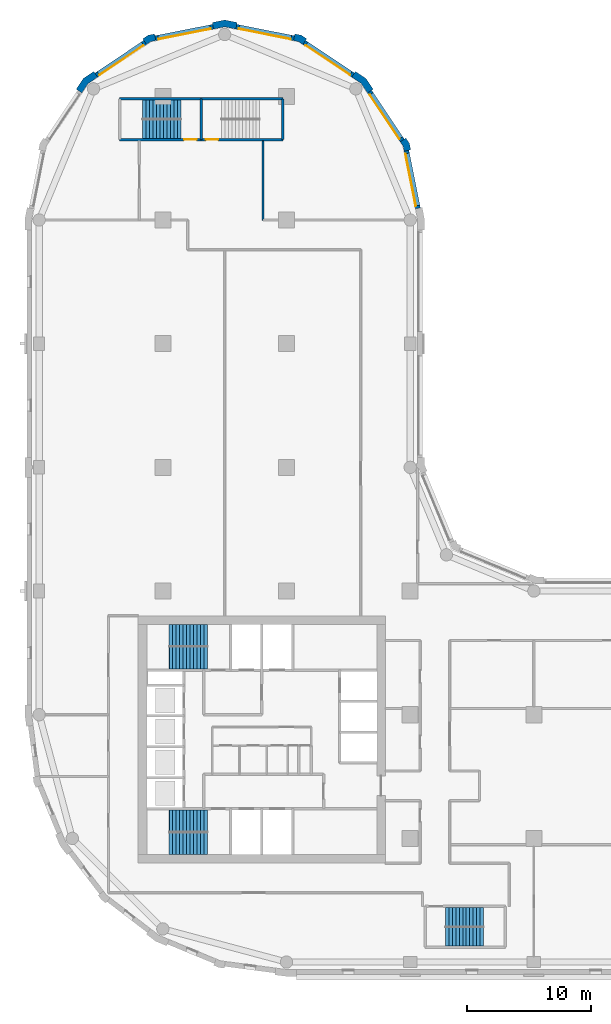
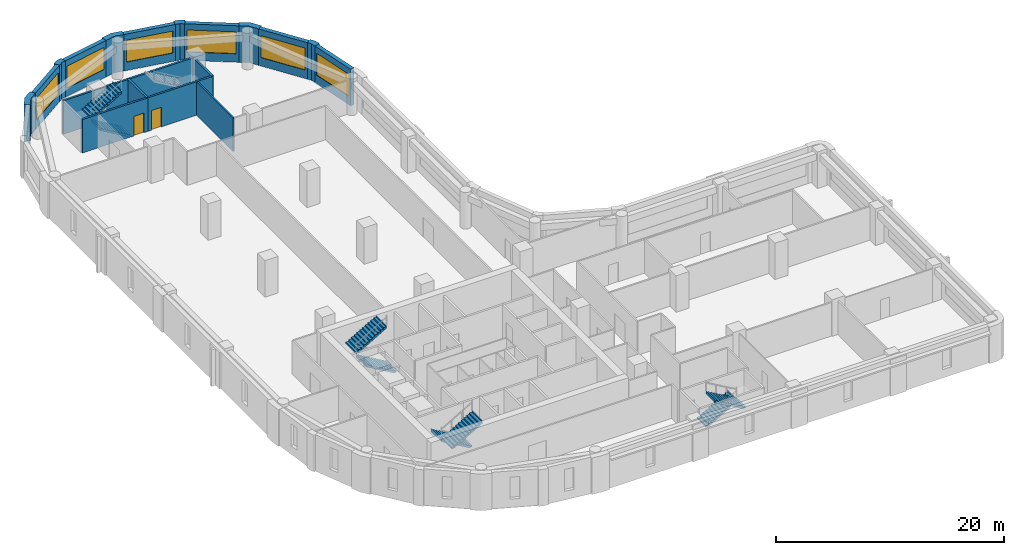
# One storey, part 6 of 9: 19 walls, 8 stair flights, 6 windows, 2 doors, 8 openings, 4 elements without a shape of their own.
"""IFC4 building model written with IfcOpenShell, lengths in metres."""

import ifcopenshell
import ifcopenshell.guid

model = None  # the IFC model being written
_history = None  # IfcOwnerHistory: only IFC2X3 demands one
_inside = {}  # id of a spatial element -> (the spatial element, [elements in it])
_under = {}  # id of a project, library or spatial element -> (it, [spatial elements below it])
_declared = {}  # id of a project -> (the project, [libraries it declares])
_typed = {}  # id of a type object -> (the type object, [elements of that type])
_made_of = {}  # id of a material, layer set ... -> (it, [elements and type objects made of it])


def new_model(schema):
    """Start an empty IFC model of exactly this schema.

    Asked for "IFC4X3", IfcOpenShell would pick the latest addendum, in which some entities
    have other attributes; the version numbers below select the first issue.
    IFC2X3 requires an IfcOwnerHistory on every rooted entity: one is made here for all.
    """
    global model, _history
    if schema == "IFC4X3":
        model = ifcopenshell.file(schema_version=(4, 3, 0, 0))
    else:
        model = ifcopenshell.file(schema=schema)
    _inside.clear()
    _under.clear()
    _declared.clear()
    _typed.clear()
    _made_of.clear()
    _history = None
    if model.schema == "IFC2X3":
        org = make("IfcOrganization", Name="unknown")
        user = make(
            "IfcPersonAndOrganization",
            ThePerson=make("IfcPerson", FamilyName="unknown"),
            TheOrganization=org,
        )
        app = make(
            "IfcApplication",
            ApplicationDeveloper=org,
            Version="unknown",
            ApplicationFullName="unknown",
            ApplicationIdentifier="unknown",
        )
        _history = make(
            "IfcOwnerHistory",
            OwningUser=user,
            OwningApplication=app,
            ChangeAction="ADDED",
            CreationDate=0,
        )
    return model


def make(cls, **values):
    """One entity of the class cls with the attributes given. An attribute that is None is left unset."""
    return model.create_entity(
        cls, **{name: value for name, value in values.items() if value is not None}
    )


def rooted(cls, **values):
    """An entity with a GlobalId (a new one), such as an element, a storey or a relation."""
    return make(cls, GlobalId=ifcopenshell.guid.new(), OwnerHistory=_history, **values)


def si_unit(unit_type, name, prefix=None):
    """IfcSIUnit, for example si_unit("LENGTHUNIT", "METRE", prefix="MILLI")."""
    return make("IfcSIUnit", UnitType=unit_type, Prefix=prefix, Name=name)


def assignment(units):
    """IfcUnitAssignment: the units of a project."""
    return None if units is None else make("IfcUnitAssignment", Units=units)


def point(xyz):
    """IfcCartesianPoint."""
    return None if xyz is None else make("IfcCartesianPoint", Coordinates=xyz)


def direction(xyz):
    """IfcDirection."""
    return None if xyz is None else make("IfcDirection", DirectionRatios=xyz)


def frame(location, z_axis=None, x_axis=None):
    """IfcAxis2Placement3D, a coordinate frame: its origin and axes. An axis left out is left unset."""
    return make(
        "IfcAxis2Placement3D",
        Location=point(location),
        Axis=direction(z_axis),
        RefDirection=direction(x_axis),
    )


def frame_2d(location, x_axis=None):
    """IfcAxis2Placement2D, a coordinate frame in the plane: its origin and x axis."""
    return make(
        "IfcAxis2Placement2D", Location=point(location), RefDirection=direction(x_axis)
    )


def origin():
    """The frame at (0, 0, 0) with its axes left unset."""
    return frame((0.0, 0.0, 0.0))


def place(relative_to, where):
    """IfcLocalPlacement: puts the frame where relative to a parent placement (None: the world)."""
    return make(
        "IfcLocalPlacement", PlacementRelTo=relative_to, RelativePlacement=where
    )


def context(
    kind, dimensions, precision=None, world=None, true_north=None, identifier=None
):
    """IfcGeometricRepresentationContext, for example the 3D "Model" context."""
    return make(
        "IfcGeometricRepresentationContext",
        ContextIdentifier=identifier,
        ContextType=kind,
        CoordinateSpaceDimension=dimensions,
        Precision=precision,
        WorldCoordinateSystem=world,
        TrueNorth=true_north,
    )


def subcontext(parent, identifier, kind, view, scale=None):
    """IfcGeometricRepresentationSubContext, for example "Body" below "Model"."""
    return make(
        "IfcGeometricRepresentationSubContext",
        ContextIdentifier=identifier,
        ContextType=kind,
        ParentContext=parent,
        TargetScale=scale,
        TargetView=view,
    )


def project(units=None, contexts=None):
    """IfcProject with its units and contexts."""
    return rooted(
        "IfcProject",
        Name="project",
        RepresentationContexts=contexts,
        UnitsInContext=assignment(units),
    )


def spatial(cls, under=None, at=None, **own):
    """A site, building, storey or space (cls), placed at a placement, below another one or the project."""
    s = rooted(cls, ObjectPlacement=at, **own)
    if under is not None:
        _under.setdefault(under.id(), (under, []))[1].append(s)
    return s


def polyline(points):
    """IfcPolyline through the points."""
    return make("IfcPolyline", Points=[point(p) for p in points])


def profile(cls, at=None, kind="AREA", **sizes):
    """A parametric profile (cls). Its sizes go by their IFC names, for example OverallWidth=200.0."""
    return make(cls, ProfileType=kind, Position=at, **sizes)


def rectangle(**sizes):
    """IfcRectangleProfileDef."""
    return profile("IfcRectangleProfileDef", **sizes)


def outline(outer, holes=None, kind="AREA"):
    """IfcArbitraryClosedProfileDef: a profile drawn as a closed curve; with holes, ...WithVoids."""
    if holes is None:
        return make("IfcArbitraryClosedProfileDef", ProfileType=kind, OuterCurve=outer)
    return make(
        "IfcArbitraryProfileDefWithVoids",
        ProfileType=kind,
        OuterCurve=outer,
        InnerCurves=holes,
    )


def extrude(swept, where, along, depth):
    """IfcExtrudedAreaSolid: the profile swept, set in the frame where, extruded along a direction by depth."""
    return make(
        "IfcExtrudedAreaSolid",
        SweptArea=swept,
        Position=where,
        ExtrudedDirection=direction(along),
        Depth=depth,
    )


def shape(context_of_items, identifier, shape_type, items):
    """IfcShapeRepresentation: the items that make up one representation, for example the "Body"."""
    return make(
        "IfcShapeRepresentation",
        ContextOfItems=context_of_items,
        RepresentationIdentifier=identifier,
        RepresentationType=shape_type,
        Items=items,
    )


def material(Name=None, Category=None):
    """IfcMaterial."""
    return make("IfcMaterial", Name=Name, Category=Category)


def layer(
    of_material, thickness, ventilated=None, Name=None, Category=None, Priority=None
):
    """IfcMaterialLayer: one layer of a wall or slab, of a material (None: an air gap)."""
    return make(
        "IfcMaterialLayer",
        Material=of_material,
        LayerThickness=thickness,
        IsVentilated=ventilated,
        Name=Name,
        Category=Category,
        Priority=Priority,
    )


def layer_set(layers, Name=None):
    """IfcMaterialLayerSet."""
    return make("IfcMaterialLayerSet", MaterialLayers=layers, LayerSetName=Name)


def made_of(thing, what):
    """Note that an element or type object is made of a material, layer set ...; save() writes the relation."""
    if what is not None:
        _made_of.setdefault(what.id(), (what, []))[1].append(thing)
    return thing


def type_object(cls, material=None, **own):
    """A type object (cls), such as IfcWallType, which elements share."""
    return made_of(rooted(cls, **own), material)


def element(
    cls,
    number,
    at=None,
    inside=None,
    cuts=None,
    type_object=None,
    material=None,
    context=None,
    identifier="Body",
    shape_type=None,
    held_by="IfcProductDefinitionShape",
    body=None,
    shapes=None,
    **own,
):
    """One element of the class cls, such as IfcWall. Its Tag is "e" and its number.

    at: its placement. inside: the storey or other place that contains it. cuts: it is an
    opening in that element (IfcRelVoidsElement). A single representation is given by context,
    identifier, shape_type and body (its items); several are given by shapes. held_by: the class
    of the entity that holds the representations. save() writes the other relations.
    """
    e = rooted(cls, Tag="e%d" % number, ObjectPlacement=at, **own)
    if body is not None:
        shapes = [shape(context, identifier, shape_type, body)]
    if shapes is not None:
        e.Representation = make(held_by, Representations=shapes)
    if inside is not None:
        _inside.setdefault(inside.id(), (inside, []))[1].append(e)
    if cuts is not None:
        rooted(
            "IfcRelVoidsElement", RelatingBuildingElement=cuts, RelatedOpeningElement=e
        )
    if type_object is not None:
        _typed.setdefault(type_object.id(), (type_object, []))[1].append(e)
    return made_of(e, material)


def fill(opening, filler):
    """IfcRelFillsElement: the door or window that sits in an opening."""
    return rooted(
        "IfcRelFillsElement",
        RelatingOpeningElement=opening,
        RelatedBuildingElement=filler,
    )


def aggregate(whole, parts):
    """IfcRelAggregates: a whole, such as a stair, and the parts it consists of."""
    return rooted("IfcRelAggregates", RelatingObject=whole, RelatedObjects=parts)


def save(model, path):
    """Write the relations noted so far, then the file.

    IfcRelAggregates (storeys below a building ...), IfcRelContainedInSpatialStructure (elements
    in a storey), IfcRelDefinesByType, IfcRelAssociatesMaterial and IfcRelDeclares: one each for
    every whole, place, type object, material and project.
    """
    for whole, parts in _under.values():
        aggregate(whole, parts)
    for where, things in _inside.values():
        rooted(
            "IfcRelContainedInSpatialStructure",
            RelatedElements=things,
            RelatingStructure=where,
        )
    for kind, things in _typed.values():
        rooted("IfcRelDefinesByType", RelatedObjects=things, RelatingType=kind)
    for what, things in _made_of.values():
        rooted("IfcRelAssociatesMaterial", RelatedObjects=things, RelatingMaterial=what)
    for by, libraries in _declared.values():
        rooted("IfcRelDeclares", RelatingContext=by, RelatedDefinitions=libraries)
    model.write(path)


model = new_model("IFC4")

# Units and contexts
model_context = context("Model", 3, precision=1e-05, world=origin(), true_north=direction((0.0, 1.0)))
body_context = subcontext(model_context, "Body", "Model", "MODEL_VIEW")
ifc_project = project(units=[si_unit("LENGTHUNIT", "METRE"), si_unit("AREAUNIT", "SQUARE_METRE"), si_unit("VOLUMEUNIT", "CUBIC_METRE"), si_unit("PLANEANGLEUNIT", "RADIAN"), si_unit("MASSUNIT", "GRAM", prefix="KILO")], contexts=[model_context])

# Site, building, storey
site_placement = place(None, origin())
site = spatial("IfcSite", under=ifc_project, at=site_placement, CompositionType="ELEMENT")
building_placement = place(site_placement, origin())
building = spatial("IfcBuilding", under=site, at=building_placement, Name="Qaws Garden Tower", CompositionType="ELEMENT")
storey_placement = place(building_placement, frame((0.0, 0.0, 221.39990234375)))
storey = spatial("IfcBuildingStorey", under=building, at=storey_placement, Name="L54", CompositionType="ELEMENT", Elevation=221.39990234375)

# Wall, opening, window
ifc_material_1 = material(Name="Clay facing brick masonry", Category="masonry")
ifc_layer_1 = layer(ifc_material_1, 0.39990234375)
ifc_layer_set_1 = layer_set([ifc_layer_1], Name="Clay facing brick masonry")
wall_type_1 = type_object("IfcWallType", Name="Brick infill wall 400", PredefinedType="SOLIDWALL", material=ifc_layer_set_1)
wall_1_placement = place(storey_placement, frame((30.628662109375, 60.940673828125, 0.0), z_axis=(0.0, 0.0, 1.0), x_axis=(-0.195098533057, 0.98078364709, 0.0)))
wall_1 = element("IfcWall", 1, at=wall_1_placement, inside=storey, type_object=wall_type_1, Name="E-L54-infill-13", PredefinedType="SOLIDWALL", context=body_context, shape_type="SweptSolid", body=[
    extrude(rectangle(XDim=4.752685546875, YDim=0.39990234375, at=frame_2d((2.37646484375, 0.0))), origin(), (0.0, 0.0, 1.0), 3.900146484375),
])
opening_1_placement = place(wall_1_placement, frame((0.226318359375, 0.0, 0.89990234375)))
opening_1 = element("IfcOpeningElement", 2, at=opening_1_placement, cuts=wall_1, Name="Opening W06", PredefinedType="OPENING", context=body_context, shape_type="SweptSolid", body=[
    extrude(rectangle(XDim=4.300048828125, YDim=2.35009765625, at=frame_2d((2.14990234375, 1.175048828125))), frame((0.0, 0.2099609375, 0.0), z_axis=(0.0, -1.0, 0.0), x_axis=(1.0, 0.0, 0.0)), (0.0, 0.0, 1.0), 0.419921875),
])
ifc_material_2 = material(Name="Aluminium framed window, clear glazing", Category="aluminium")
window_type = type_object("IfcWindowType", Name="Ribbon window 4300 x 2350", PartitioningType="DOUBLE_PANEL_VERTICAL", PredefinedType="WINDOW", material=ifc_material_2)
window_1_placement = place(opening_1_placement, origin())
window_1 = element("IfcWindow", 3, at=window_1_placement, inside=storey, type_object=window_type, Name="E-L54-window-13-0", OverallHeight=2.35009765625, OverallWidth=4.300048828125, PartitioningType="SINGLE_PANEL", PredefinedType="WINDOW", context=body_context, shape_type="SweptSolid", body=[
    extrude(rectangle(XDim=4.300048828125, YDim=2.35009765625, at=frame_2d((2.14990234375, 1.175048828125))), frame((0.0, 0.159912109375, 0.0), z_axis=(0.0, -1.0, 0.0), x_axis=(1.0, 0.0, 0.0)), (0.0, 0.0, 1.0), 0.06005859375),
])
fill(opening_1, window_1)

wall_2_placement = place(storey_placement, frame((29.356689453125, 66.43408203125, 0.0), z_axis=(0.0, 0.0, 1.0), x_axis=(-0.555541552266, 0.831488775454, 0.0)))
wall_2 = element("IfcWall", 4, at=wall_2_placement, inside=storey, type_object=wall_type_1, Name="E-L54-infill-14", PredefinedType="SOLIDWALL", context=body_context, shape_type="SweptSolid", body=[
    extrude(rectangle(XDim=4.752685546875, YDim=0.39990234375, at=frame_2d((2.37646484375, 0.0))), origin(), (0.0, 0.0, 1.0), 3.900146484375),
])
opening_2_placement = place(wall_2_placement, frame((0.226318359375, 0.0, 0.89990234375)))
opening_2 = element("IfcOpeningElement", 5, at=opening_2_placement, cuts=wall_2, Name="Opening W06", PredefinedType="OPENING", context=body_context, shape_type="SweptSolid", body=[
    extrude(rectangle(XDim=4.300048828125, YDim=2.35009765625, at=frame_2d((2.14990234375, 1.175048828125))), frame((0.0, 0.2099609375, 0.0), z_axis=(0.0, -1.0, 0.0), x_axis=(1.0, 0.0, 0.0)), (0.0, 0.0, 1.0), 0.419921875),
])
window_2_placement = place(opening_2_placement, origin())
window_2 = element("IfcWindow", 6, at=window_2_placement, inside=storey, type_object=window_type, Name="E-L54-window-14-0", OverallHeight=2.35009765625, OverallWidth=4.300048828125, PartitioningType="SINGLE_PANEL", PredefinedType="WINDOW", context=body_context, shape_type="SweptSolid", body=[
    extrude(rectangle(XDim=4.300048828125, YDim=2.35009765625, at=frame_2d((2.14990234375, 1.175048828125))), frame((0.0, 0.159912109375, 0.0), z_axis=(0.0, -1.0, 0.0), x_axis=(1.0, 0.0, 0.0)), (0.0, 0.0, 1.0), 0.06005859375),
])
fill(opening_2, window_2)

wall_3_placement = place(storey_placement, frame((25.385986328125, 71.71630859375, 0.0), z_axis=(0.0, 0.0, 1.0), x_axis=(-0.831488775454, 0.555541552266, 0.0)))
wall_3 = element("IfcWall", 7, at=wall_3_placement, inside=storey, type_object=wall_type_1, Name="E-L54-infill-15", PredefinedType="SOLIDWALL", context=body_context, shape_type="SweptSolid", body=[
    extrude(rectangle(XDim=4.752685546875, YDim=0.39990234375, at=frame_2d((2.37646484375, 0.0))), origin(), (0.0, 0.0, 1.0), 3.900146484375),
])
opening_3_placement = place(wall_3_placement, frame((0.226318359375, 0.0, 0.89990234375)))
opening_3 = element("IfcOpeningElement", 8, at=opening_3_placement, cuts=wall_3, Name="Opening W06", PredefinedType="OPENING", context=body_context, shape_type="SweptSolid", body=[
    extrude(rectangle(XDim=4.300048828125, YDim=2.35009765625, at=frame_2d((2.14990234375, 1.175048828125))), frame((0.0, 0.2099609375, 0.0), z_axis=(0.0, -1.0, 0.0), x_axis=(1.0, 0.0, 0.0)), (0.0, 0.0, 1.0), 0.419921875),
])
window_3_placement = place(opening_3_placement, origin())
window_3 = element("IfcWindow", 9, at=window_3_placement, inside=storey, type_object=window_type, Name="E-L54-window-15-0", OverallHeight=2.35009765625, OverallWidth=4.300048828125, PartitioningType="SINGLE_PANEL", PredefinedType="WINDOW", context=body_context, shape_type="SweptSolid", body=[
    extrude(rectangle(XDim=4.300048828125, YDim=2.35009765625, at=frame_2d((2.14990234375, 1.175048828125))), frame((0.0, 0.159912109375, 0.0), z_axis=(0.0, -1.0, 0.0), x_axis=(1.0, 0.0, 0.0)), (0.0, 0.0, 1.0), 0.06005859375),
])
fill(opening_3, window_3)

wall_4_placement = place(storey_placement, frame((20.60205078125, 74.701416015625, 0.0), z_axis=(0.0, 0.0, 1.0), x_axis=(-0.98078364709, 0.195098533057, 0.0)))
wall_4 = element("IfcWall", 10, at=wall_4_placement, inside=storey, type_object=wall_type_1, Name="E-L54-infill-16", PredefinedType="SOLIDWALL", context=body_context, shape_type="SweptSolid", body=[
    extrude(rectangle(XDim=4.752685546875, YDim=0.39990234375, at=frame_2d((2.37646484375, 0.0))), origin(), (0.0, 0.0, 1.0), 3.900146484375),
])
opening_4_placement = place(wall_4_placement, frame((0.226318359375, 0.0, 0.89990234375)))
opening_4 = element("IfcOpeningElement", 11, at=opening_4_placement, cuts=wall_4, Name="Opening W06", PredefinedType="OPENING", context=body_context, shape_type="SweptSolid", body=[
    extrude(rectangle(XDim=4.300048828125, YDim=2.35009765625, at=frame_2d((2.14990234375, 1.175048828125))), frame((0.0, 0.2099609375, 0.0), z_axis=(0.0, -1.0, 0.0), x_axis=(1.0, 0.0, 0.0)), (0.0, 0.0, 1.0), 0.419921875),
])
window_4_placement = place(opening_4_placement, origin())
window_4 = element("IfcWindow", 12, at=window_4_placement, inside=storey, type_object=window_type, Name="E-L54-window-16-0", OverallHeight=2.35009765625, OverallWidth=4.300048828125, PartitioningType="SINGLE_PANEL", PredefinedType="WINDOW", context=body_context, shape_type="SweptSolid", body=[
    extrude(rectangle(XDim=4.300048828125, YDim=2.35009765625, at=frame_2d((2.14990234375, 1.175048828125))), frame((0.0, 0.159912109375, 0.0), z_axis=(0.0, -1.0, 0.0), x_axis=(1.0, 0.0, 0.0)), (0.0, 0.0, 1.0), 0.06005859375),
])
fill(opening_4, window_4)

wall_5_placement = place(storey_placement, frame((14.059326171875, 75.628662109375, 0.0), z_axis=(0.0, 0.0, 1.0), x_axis=(-0.98078364709, -0.195098533057, 0.0)))
wall_5 = element("IfcWall", 13, at=wall_5_placement, inside=storey, type_object=wall_type_1, Name="E-L54-infill-17", PredefinedType="SOLIDWALL", context=body_context, shape_type="SweptSolid", body=[
    extrude(rectangle(XDim=4.752685546875, YDim=0.39990234375, at=frame_2d((2.37646484375, 0.0))), origin(), (0.0, 0.0, 1.0), 3.900146484375),
])
opening_5_placement = place(wall_5_placement, frame((0.226318359375, 0.0, 0.89990234375)))
opening_5 = element("IfcOpeningElement", 14, at=opening_5_placement, cuts=wall_5, Name="Opening W06", PredefinedType="OPENING", context=body_context, shape_type="SweptSolid", body=[
    extrude(rectangle(XDim=4.300048828125, YDim=2.35009765625, at=frame_2d((2.14990234375, 1.175048828125))), frame((0.0, 0.2099609375, 0.0), z_axis=(0.0, -1.0, 0.0), x_axis=(1.0, 0.0, 0.0)), (0.0, 0.0, 1.0), 0.419921875),
])
window_5_placement = place(opening_5_placement, origin())
window_5 = element("IfcWindow", 15, at=window_5_placement, inside=storey, type_object=window_type, Name="E-L54-window-17-0", OverallHeight=2.35009765625, OverallWidth=4.300048828125, PartitioningType="SINGLE_PANEL", PredefinedType="WINDOW", context=body_context, shape_type="SweptSolid", body=[
    extrude(rectangle(XDim=4.300048828125, YDim=2.35009765625, at=frame_2d((2.14990234375, 1.175048828125))), frame((0.0, 0.159912109375, 0.0), z_axis=(0.0, -1.0, 0.0), x_axis=(1.0, 0.0, 0.0)), (0.0, 0.0, 1.0), 0.06005859375),
])
fill(opening_5, window_5)

wall_6_placement = place(storey_placement, frame((8.56591796875, 74.356689453125, 0.0), z_axis=(0.0, 0.0, 1.0), x_axis=(-0.831488775454, -0.555541552266, 0.0)))
wall_6 = element("IfcWall", 16, at=wall_6_placement, inside=storey, type_object=wall_type_1, Name="E-L54-infill-18", PredefinedType="SOLIDWALL", context=body_context, shape_type="SweptSolid", body=[
    extrude(rectangle(XDim=4.752685546875, YDim=0.39990234375, at=frame_2d((2.37646484375, 0.0))), origin(), (0.0, 0.0, 1.0), 3.900146484375),
])
opening_6_placement = place(wall_6_placement, frame((0.226318359375, 0.0, 0.89990234375)))
opening_6 = element("IfcOpeningElement", 17, at=opening_6_placement, cuts=wall_6, Name="Opening W06", PredefinedType="OPENING", context=body_context, shape_type="SweptSolid", body=[
    extrude(rectangle(XDim=4.300048828125, YDim=2.35009765625, at=frame_2d((2.14990234375, 1.175048828125))), frame((0.0, 0.2099609375, 0.0), z_axis=(0.0, -1.0, 0.0), x_axis=(1.0, 0.0, 0.0)), (0.0, 0.0, 1.0), 0.419921875),
])
window_6_placement = place(opening_6_placement, origin())
window_6 = element("IfcWindow", 18, at=window_6_placement, inside=storey, type_object=window_type, Name="E-L54-window-18-0", OverallHeight=2.35009765625, OverallWidth=4.300048828125, PartitioningType="SINGLE_PANEL", PredefinedType="WINDOW", context=body_context, shape_type="SweptSolid", body=[
    extrude(rectangle(XDim=4.300048828125, YDim=2.35009765625, at=frame_2d((2.14990234375, 1.175048828125))), frame((0.0, 0.159912109375, 0.0), z_axis=(0.0, -1.0, 0.0), x_axis=(1.0, 0.0, 0.0)), (0.0, 0.0, 1.0), 0.06005859375),
])
fill(opening_6, window_6)

# Walls
ifc_material_3 = material(Name="Clay facing brick masonry", Category="masonry")
ifc_layer_2 = layer(ifc_material_3, 0.550048828125)
ifc_layer_set_2 = layer_set([ifc_layer_2], Name="Clay facing brick masonry")
wall_type_2 = type_object("IfcWallType", Name="Brick kink pier 550 x 600", PredefinedType="SOLIDWALL", material=ifc_layer_set_2)
placement = place(storey_placement, origin())
element("IfcWall", 19, at=placement, inside=storey, type_object=wall_type_2, Name="E-L54-pier-14", PredefinedType="SOLIDWALL", context=body_context, shape_type="SweptSolid", body=[
    extrude(outline(polyline([(29.8974609375, 65.64111328125), (30.044677734375, 65.67041015625), (29.94140625, 66.18896484375), (29.647705078125, 66.628662109375), (29.52294921875, 66.545166015625), (29.1904296875, 66.322998046875), (29.42333984375, 65.974365234375), (29.505126953125, 65.56298828125), (29.8974609375, 65.64111328125)])), origin(), (0.0, 0.0, 1.0), 3.900146484375),
])
element("IfcWall", 20, at=placement, inside=storey, type_object=wall_type_2, Name="E-L54-pier-16", PredefinedType="SOLIDWALL", context=body_context, shape_type="SweptSolid", body=[
    extrude(outline(polyline([(21.545166015625, 74.52294921875), (21.628662109375, 74.647705078125), (21.18896484375, 74.94140625), (20.67041015625, 75.044677734375), (20.64111328125, 74.8974609375), (20.56298828125, 74.505126953125), (20.974365234375, 74.42333984375), (21.322998046875, 74.1904296875), (21.545166015625, 74.52294921875)])), origin(), (0.0, 0.0, 1.0), 3.900146484375),
])
element("IfcWall", 21, at=placement, inside=storey, type_object=wall_type_2, Name="E-L54-pier-18", PredefinedType="SOLIDWALL", context=body_context, shape_type="SweptSolid", body=[
    extrude(outline(polyline([(9.35888671875, 74.8974609375), (9.32958984375, 75.044677734375), (8.81103515625, 74.94140625), (8.371337890625, 74.647705078125), (8.454833984375, 74.52294921875), (8.677001953125, 74.1904296875), (9.025634765625, 74.42333984375), (9.43701171875, 74.505126953125), (9.35888671875, 74.8974609375)])), origin(), (0.0, 0.0, 1.0), 3.900146484375),
])
ifc_material_4 = material(Name="Clay facing brick masonry", Category="masonry")
ifc_layer_3 = layer(ifc_material_4, 0.550048828125)
ifc_layer_set_3 = layer_set([ifc_layer_3], Name="Clay facing brick masonry")
wall_type_3 = type_object("IfcWallType", Name="Brick pier 550 x 1600", PredefinedType="SOLIDWALL", material=ifc_layer_set_3)
element("IfcWall", 22, at=placement, inside=storey, type_object=wall_type_3, Name="E-L54-pier-15", PredefinedType="SOLIDWALL", context=body_context, shape_type="SweptSolid", body=[
    extrude(outline(polyline([(26.882568359375, 70.4970703125), (27.00732421875, 70.580322265625), (26.435791015625, 71.435791015625), (25.580322265625, 72.00732421875), (25.4970703125, 71.882568359375), (25.274658203125, 71.550048828125), (26.0390625, 71.0390625), (26.550048828125, 70.274658203125), (26.882568359375, 70.4970703125)])), origin(), (0.0, 0.0, 1.0), 3.900146484375),
])
element("IfcWall", 23, at=placement, inside=storey, type_object=wall_type_3, Name="E-L54-pier-17", PredefinedType="SOLIDWALL", context=body_context, shape_type="SweptSolid", body=[
    extrude(outline(polyline([(15.979736328125, 75.82470703125), (16.009033203125, 75.971923828125), (15.0, 76.172607421875), (13.990966796875, 75.971923828125), (14.020263671875, 75.82470703125), (14.098388671875, 75.432373046875), (15.0, 75.61181640625), (15.901611328125, 75.432373046875), (15.979736328125, 75.82470703125)])), origin(), (0.0, 0.0, 1.0), 3.900146484375),
])
element("IfcWall", 24, at=placement, inside=storey, type_object=wall_type_3, Name="E-L54-pier-19", PredefinedType="SOLIDWALL", context=body_context, shape_type="SweptSolid", body=[
    extrude(outline(polyline([(4.5029296875, 71.882568359375), (4.419677734375, 72.00732421875), (3.564208984375, 71.435791015625), (2.99267578125, 70.580322265625), (3.117431640625, 70.4970703125), (3.449951171875, 70.274658203125), (3.9609375, 71.0390625), (4.725341796875, 71.550048828125), (4.5029296875, 71.882568359375)])), origin(), (0.0, 0.0, 1.0), 3.900146484375),
])

# Wall, opening, door
ifc_material_5 = material(Name="Concrete C70", Category="concrete")
ifc_layer_4 = layer(ifc_material_5, 0.199951171875)
ifc_layer_set_4 = layer_set([ifc_layer_4], Name="Concrete C70")
wall_type_4 = type_object("IfcWallType", Name="Core shaft wall 200 C70", PredefinedType="SHEAR", material=ifc_layer_set_4)
wall_13_placement = place(storey_placement, frame((6.5, 66.5, 0.0), z_axis=(0.0, 0.0, 1.0), x_axis=(1.0, 0.0, 0.0)))
wall_13 = element("IfcWall", 25, at=wall_13_placement, inside=storey, type_object=wall_type_4, Name="Shaft wall", PredefinedType="SHEAR", context=body_context, shape_type="SweptSolid", body=[
    extrude(rectangle(XDim=6.60009765625, YDim=0.199951171875, at=frame_2d((3.300048828125, 0.0))), origin(), (0.0, 0.0, 1.0), 3.580078125),
])
opening_7_placement = place(wall_13_placement, frame((5.22509765625, 0.0, 0.0)))
opening_7 = element("IfcOpeningElement", 26, at=opening_7_placement, cuts=wall_13, Name="Opening SD13", PredefinedType="OPENING", context=body_context, shape_type="SweptSolid", body=[
    extrude(rectangle(XDim=1.0, YDim=2.10009765625, at=frame_2d((0.5, 1.050048828125))), frame((0.0, 0.10986328125, 0.0), z_axis=(0.0, -1.0, 0.0), x_axis=(1.0, 0.0, 0.0)), (0.0, 0.0, 1.0), 0.219970703125),
])
ifc_material_6 = material(Name="Steel S235", Category="steel")
door_type = type_object("IfcDoorType", Name="Stair door 1000x2100", OperationType="SINGLE_SWING_RIGHT", PredefinedType="DOOR", material=ifc_material_6)
door_1_placement = place(opening_7_placement, origin())
door_1 = element("IfcDoor", 27, at=door_1_placement, inside=storey, type_object=door_type, Name="Stair 6 door", OperationType="SINGLE_SWING_RIGHT", OverallHeight=2.10009765625, OverallWidth=1.0, PredefinedType="DOOR", context=body_context, shape_type="SweptSolid", body=[
    extrude(rectangle(XDim=1.0, YDim=2.10009765625, at=frame_2d((0.5, 1.050048828125))), frame((0.0, 0.02490234375, 0.0), z_axis=(0.0, -1.0, 0.0), x_axis=(1.0, 0.0, 0.0)), (0.0, 0.0, 1.0), 0.050048828125),
])
fill(opening_7, door_1)

wall_14_placement = place(storey_placement, frame((13.10009765625, 66.5, 0.0), z_axis=(0.0, 0.0, 1.0), x_axis=(1.0, 0.0, 0.0)))
wall_14 = element("IfcWall", 28, at=wall_14_placement, inside=storey, type_object=wall_type_4, Name="Shaft wall", PredefinedType="SHEAR", context=body_context, shape_type="SweptSolid", body=[
    extrude(rectangle(XDim=6.599853515625, YDim=0.199951171875, at=frame_2d((3.2998046875, 0.0))), origin(), (0.0, 0.0, 1.0), 3.580078125),
])
opening_8_placement = place(wall_14_placement, frame((0.375, 0.0, 0.0)))
opening_8 = element("IfcOpeningElement", 29, at=opening_8_placement, cuts=wall_14, Name="Opening SD14", PredefinedType="OPENING", context=body_context, shape_type="SweptSolid", body=[
    extrude(rectangle(XDim=1.0, YDim=2.10009765625, at=frame_2d((0.5, 1.050048828125))), frame((0.0, 0.10986328125, 0.0), z_axis=(0.0, -1.0, 0.0), x_axis=(1.0, 0.0, 0.0)), (0.0, 0.0, 1.0), 0.219970703125),
])
door_2_placement = place(opening_8_placement, origin())
door_2 = element("IfcDoor", 30, at=door_2_placement, inside=storey, type_object=door_type, Name="Stair 7 door", OperationType="SINGLE_SWING_LEFT", OverallHeight=2.10009765625, OverallWidth=1.0, PredefinedType="DOOR", context=body_context, shape_type="SweptSolid", body=[
    extrude(rectangle(XDim=1.0, YDim=2.10009765625, at=frame_2d((0.5, 1.050048828125))), frame((0.0, 0.02490234375, 0.0), z_axis=(0.0, -1.0, 0.0), x_axis=(1.0, 0.0, 0.0)), (0.0, 0.0, 1.0), 0.050048828125),
])
fill(opening_8, door_2)

# Walls
wall_15_placement = place(storey_placement, frame((6.5, 69.800048828125, 0.0), z_axis=(0.0, 0.0, 1.0), x_axis=(1.0, 0.0, 0.0)))
element("IfcWall", 31, at=wall_15_placement, inside=storey, type_object=wall_type_4, Name="Shaft wall", PredefinedType="SHEAR", context=body_context, shape_type="SweptSolid", body=[
    extrude(rectangle(XDim=6.60009765625, YDim=0.199951171875, at=frame_2d((3.300048828125, 0.0))), origin(), (0.0, 0.0, 1.0), 3.580078125),
])
wall_16_placement = place(storey_placement, frame((13.10009765625, 69.800048828125, 0.0), z_axis=(0.0, 0.0, 1.0), x_axis=(1.0, 0.0, 0.0)))
element("IfcWall", 32, at=wall_16_placement, inside=storey, type_object=wall_type_4, Name="Shaft wall", PredefinedType="SHEAR", context=body_context, shape_type="SweptSolid", body=[
    extrude(rectangle(XDim=6.599853515625, YDim=0.199951171875, at=frame_2d((3.2998046875, 0.0))), origin(), (0.0, 0.0, 1.0), 3.580078125),
])
for number, where, z_axis, x_axis, name in (
    (33, (13.10009765625, 66.5, 0.0), (0.0, 0.0, 1.0), (0.0, 1.0, 0.0), "Shaft wall"),
    (34, (19.699951171875, 66.5, 0.0), (0.0, 0.0, 1.0), (0.0, 1.0, 0.0), "Shaft wall"),
):
    element("IfcWall", number, at=place(storey_placement, frame(where, z_axis=z_axis, x_axis=x_axis)), inside=storey, type_object=wall_type_4, Name=name, PredefinedType="SHEAR", context=body_context, shape_type="SweptSolid", body=[
        extrude(rectangle(XDim=3.300048828125, YDim=0.199951171875, at=frame_2d((1.64990234375, 0.0))), origin(), (0.0, 0.0, 1.0), 3.580078125),
    ])
ifc_material_7 = material(Name="Gypsum board partition")
ifc_layer_5 = layer(ifc_material_7, 0.14990234375)
ifc_layer_set_5 = layer_set([ifc_layer_5], Name="Gypsum board partition")
wall_type_5 = type_object("IfcWallType", Name="PARTITION 150 EI 60", PredefinedType="PARTITIONING", material=ifc_layer_set_5)
wall_17_placement = place(storey_placement, frame((18.10009765625, 60.0, 0.0), z_axis=(0.0, 0.0, 1.0), x_axis=(0.0, 1.0, 0.0)))
element("IfcWall", 35, at=wall_17_placement, inside=storey, type_object=wall_type_5, Name="O-L54-wall-007", PredefinedType="PARTITIONING", context=body_context, shape_type="SweptSolid", body=[
    extrude(rectangle(XDim=6.39990234375, YDim=0.14990234375, at=frame_2d((3.199951171875, 0.0))), origin(), (0.0, 0.0, 1.0), 3.580078125),
])

# Stair, stair flights
ifc_material_8 = material(Name="Concrete C40", Category="concrete")
stair_type_1 = type_object("IfcStairType", Name="Exit stair 1350", PredefinedType="HALF_TURN_STAIR", material=ifc_material_8)
stair_1 = element("IfcStair", 36, at=placement, inside=storey, type_object=stair_type_1, Name="Stair 5", PredefinedType="HALF_TURN_STAIR")
ifc_material_9 = material(Name="Concrete C40", Category="concrete")
stair_flight_type_1 = type_object("IfcStairFlightType", Name="Stair flight 1350", PredefinedType="STRAIGHT", material=ifc_material_9)
stair_flight_1_placement = place(storey_placement, frame((32.85009765625, 3.625, 0.0), z_axis=(0.0, 0.0, 1.0), x_axis=(1.0, 0.0, 0.0)))
stair_flight_1 = element("IfcStairFlight", 37, at=stair_flight_1_placement, type_object=stair_flight_type_1, Name="ST5 flight 1", NumberOfRisers=12, NumberOfTreads=11, PredefinedType="STRAIGHT", RiserHeight=0.1625, TreadLength=0.28, context=body_context, shape_type="SweptSolid", body=[
    extrude(outline(polyline([(-0.0029296875, 0.0), (-0.0029296875, 0.16259765625), (0.0, 0.16259765625), (0.280029296875, 0.16259765625), (0.280029296875, 0.324951171875), (0.56005859375, 0.324951171875), (0.56005859375, 0.487548828125), (0.840087890625, 0.487548828125), (0.840087890625, 0.64990234375), (1.1201171875, 0.64990234375), (1.1201171875, 0.8125), (1.39990234375, 0.8125), (1.39990234375, 0.97509765625), (1.679931640625, 0.97509765625), (1.679931640625, 1.137451171875), (1.9599609375, 1.137451171875), (1.9599609375, 1.300048828125), (2.239990234375, 1.300048828125), (2.239990234375, 1.46240234375), (2.52001953125, 1.46240234375), (2.52001953125, 1.625), (2.800048828125, 1.625), (2.800048828125, 1.78759765625), (3.080078125, 1.78759765625), (3.080078125, 1.949951171875), (3.0830078125, 1.949951171875), (3.0830078125, 1.6142578125), (3.080078125, 1.6142578125), (0.298583984375, 0.0), (-0.0029296875, 0.0)])), frame((0.0, 0.77490234375, 0.0), z_axis=(0.0, -1.0, 0.0), x_axis=(1.0, 0.0, 0.0)), (0.0, 0.0, 1.0), 1.550048828125),
])
stair_flight_2_placement = place(storey_placement, frame((35.929931640625, 2.074951171875, 1.9501953125), z_axis=(0.0, 0.0, 1.0), x_axis=(-1.0, 0.0, 0.0)))
stair_flight_2 = element("IfcStairFlight", 38, at=stair_flight_2_placement, type_object=stair_flight_type_1, Name="ST5 flight 2", NumberOfRisers=12, NumberOfTreads=11, PredefinedType="STRAIGHT", RiserHeight=0.1625, TreadLength=0.28, context=body_context, shape_type="SweptSolid", body=[
    extrude(outline(polyline([(-0.0029296875, 0.0), (-0.0029296875, 0.16259765625), (0.0, 0.16259765625), (0.280029296875, 0.16259765625), (0.280029296875, 0.324951171875), (0.56005859375, 0.324951171875), (0.56005859375, 0.487548828125), (0.840087890625, 0.487548828125), (0.840087890625, 0.64990234375), (1.1201171875, 0.64990234375), (1.1201171875, 0.8125), (1.39990234375, 0.8125), (1.39990234375, 0.97509765625), (1.679931640625, 0.97509765625), (1.679931640625, 1.137451171875), (1.9599609375, 1.137451171875), (1.9599609375, 1.300048828125), (2.239990234375, 1.300048828125), (2.239990234375, 1.46240234375), (2.52001953125, 1.46240234375), (2.52001953125, 1.625), (2.800048828125, 1.625), (2.800048828125, 1.78759765625), (3.080078125, 1.78759765625), (3.080078125, 1.949951171875), (3.0830078125, 1.949951171875), (3.0830078125, 1.6142578125), (3.080078125, 1.6142578125), (0.298583984375, 0.0), (-0.0029296875, 0.0)])), frame((0.0, 0.77490234375, 0.0), z_axis=(0.0, -1.0, 0.0), x_axis=(1.0, 0.0, 0.0)), (0.0, 0.0, 1.0), 1.550048828125),
])
aggregate(stair_1, [stair_flight_1, stair_flight_2])

stair_2 = element("IfcStair", 39, at=placement, inside=storey, type_object=stair_type_1, Name="Stair 6", PredefinedType="HALF_TURN_STAIR")
stair_flight_3_placement = place(storey_placement, frame((11.449951171875, 67.375, 0.0), z_axis=(0.0, 0.0, 1.0), x_axis=(-1.0, 0.0, 0.0)))
stair_flight_3 = element("IfcStairFlight", 40, at=stair_flight_3_placement, type_object=stair_flight_type_1, Name="ST6 flight 1", NumberOfRisers=12, NumberOfTreads=11, PredefinedType="STRAIGHT", RiserHeight=0.1625, TreadLength=0.28, context=body_context, shape_type="SweptSolid", body=[
    extrude(outline(polyline([(-0.0029296875, 0.0), (-0.0029296875, 0.16259765625), (0.0, 0.16259765625), (0.280029296875, 0.16259765625), (0.280029296875, 0.324951171875), (0.56005859375, 0.324951171875), (0.56005859375, 0.487548828125), (0.840087890625, 0.487548828125), (0.840087890625, 0.64990234375), (1.1201171875, 0.64990234375), (1.1201171875, 0.8125), (1.39990234375, 0.8125), (1.39990234375, 0.97509765625), (1.679931640625, 0.97509765625), (1.679931640625, 1.137451171875), (1.9599609375, 1.137451171875), (1.9599609375, 1.300048828125), (2.239990234375, 1.300048828125), (2.239990234375, 1.46240234375), (2.52001953125, 1.46240234375), (2.52001953125, 1.625), (2.800048828125, 1.625), (2.800048828125, 1.78759765625), (3.080078125, 1.78759765625), (3.080078125, 1.949951171875), (3.0830078125, 1.949951171875), (3.0830078125, 1.6142578125), (3.080078125, 1.6142578125), (0.298583984375, 0.0), (-0.0029296875, 0.0)])), frame((0.0, 0.77490234375, 0.0), z_axis=(0.0, -1.0, 0.0), x_axis=(1.0, 0.0, 0.0)), (0.0, 0.0, 1.0), 1.550048828125),
])
stair_flight_4_placement = place(storey_placement, frame((8.3701171875, 68.925048828125, 1.9501953125), z_axis=(0.0, 0.0, 1.0), x_axis=(1.0, 0.0, 0.0)))
stair_flight_4 = element("IfcStairFlight", 41, at=stair_flight_4_placement, type_object=stair_flight_type_1, Name="ST6 flight 2", NumberOfRisers=12, NumberOfTreads=11, PredefinedType="STRAIGHT", RiserHeight=0.1625, TreadLength=0.28, context=body_context, shape_type="SweptSolid", body=[
    extrude(outline(polyline([(-0.0029296875, 0.0), (-0.0029296875, 0.16259765625), (0.0, 0.16259765625), (0.280029296875, 0.16259765625), (0.280029296875, 0.324951171875), (0.56005859375, 0.324951171875), (0.56005859375, 0.487548828125), (0.840087890625, 0.487548828125), (0.840087890625, 0.64990234375), (1.1201171875, 0.64990234375), (1.1201171875, 0.8125), (1.39990234375, 0.8125), (1.39990234375, 0.97509765625), (1.679931640625, 0.97509765625), (1.679931640625, 1.137451171875), (1.9599609375, 1.137451171875), (1.9599609375, 1.300048828125), (2.239990234375, 1.300048828125), (2.239990234375, 1.46240234375), (2.52001953125, 1.46240234375), (2.52001953125, 1.625), (2.800048828125, 1.625), (2.800048828125, 1.78759765625), (3.080078125, 1.78759765625), (3.080078125, 1.949951171875), (3.0830078125, 1.949951171875), (3.0830078125, 1.6142578125), (3.080078125, 1.6142578125), (0.298583984375, 0.0), (-0.0029296875, 0.0)])), frame((0.0, 0.77490234375, 0.0), z_axis=(0.0, -1.0, 0.0), x_axis=(1.0, 0.0, 0.0)), (0.0, 0.0, 1.0), 1.550048828125),
])
aggregate(stair_2, [stair_flight_3, stair_flight_4])

ifc_material_10 = material(Name="Concrete C40", Category="concrete")
stair_type_2 = type_object("IfcStairType", Name="Exit stair 1500", PredefinedType="HALF_TURN_STAIR", material=ifc_material_10)
stair_3 = element("IfcStair", 42, at=placement, inside=storey, type_object=stair_type_2, Name="Stair 1", PredefinedType="HALF_TURN_STAIR")
ifc_material_11 = material(Name="Concrete C40", Category="concrete")
stair_flight_type_2 = type_object("IfcStairFlightType", Name="Stair flight 1500", PredefinedType="STRAIGHT", material=ifc_material_11)
stair_flight_5_placement = place(storey_placement, frame((13.60009765625, 11.39990234375, 0.0), z_axis=(0.0, 0.0, 1.0), x_axis=(-1.0, 0.0, 0.0)))
stair_flight_5 = element("IfcStairFlight", 43, at=stair_flight_5_placement, type_object=stair_flight_type_2, Name="ST1 flight 1", NumberOfRisers=12, NumberOfTreads=11, PredefinedType="STRAIGHT", RiserHeight=0.1625, TreadLength=0.28, context=body_context, shape_type="SweptSolid", body=[
    extrude(outline(polyline([(-0.0029296875, 0.0), (-0.0029296875, 0.16259765625), (0.0, 0.16259765625), (0.280029296875, 0.16259765625), (0.280029296875, 0.324951171875), (0.56005859375, 0.324951171875), (0.56005859375, 0.487548828125), (0.840087890625, 0.487548828125), (0.840087890625, 0.64990234375), (1.1201171875, 0.64990234375), (1.1201171875, 0.8125), (1.39990234375, 0.8125), (1.39990234375, 0.97509765625), (1.679931640625, 0.97509765625), (1.679931640625, 1.137451171875), (1.9599609375, 1.137451171875), (1.9599609375, 1.300048828125), (2.239990234375, 1.300048828125), (2.239990234375, 1.46240234375), (2.52001953125, 1.46240234375), (2.52001953125, 1.625), (2.800048828125, 1.625), (2.800048828125, 1.78759765625), (3.080078125, 1.78759765625), (3.080078125, 1.949951171875), (3.0830078125, 1.949951171875), (3.0830078125, 1.6142578125), (3.080078125, 1.6142578125), (0.298583984375, 0.0), (-0.0029296875, 0.0)])), frame((0.0, 0.89990234375, 0.0), z_axis=(0.0, -1.0, 0.0), x_axis=(1.0, 0.0, 0.0)), (0.0, 0.0, 1.0), 1.800048828125),
])
stair_flight_6_placement = place(storey_placement, frame((10.52001953125, 9.60009765625, 1.9501953125), z_axis=(0.0, 0.0, 1.0), x_axis=(1.0, 0.0, 0.0)))
stair_flight_6 = element("IfcStairFlight", 44, at=stair_flight_6_placement, type_object=stair_flight_type_2, Name="ST1 flight 2", NumberOfRisers=12, NumberOfTreads=11, PredefinedType="STRAIGHT", RiserHeight=0.1625, TreadLength=0.28, context=body_context, shape_type="SweptSolid", body=[
    extrude(outline(polyline([(-0.0029296875, 0.0), (-0.0029296875, 0.16259765625), (0.0, 0.16259765625), (0.280029296875, 0.16259765625), (0.280029296875, 0.324951171875), (0.56005859375, 0.324951171875), (0.56005859375, 0.487548828125), (0.840087890625, 0.487548828125), (0.840087890625, 0.64990234375), (1.1201171875, 0.64990234375), (1.1201171875, 0.8125), (1.39990234375, 0.8125), (1.39990234375, 0.97509765625), (1.679931640625, 0.97509765625), (1.679931640625, 1.137451171875), (1.9599609375, 1.137451171875), (1.9599609375, 1.300048828125), (2.239990234375, 1.300048828125), (2.239990234375, 1.46240234375), (2.52001953125, 1.46240234375), (2.52001953125, 1.625), (2.800048828125, 1.625), (2.800048828125, 1.78759765625), (3.080078125, 1.78759765625), (3.080078125, 1.949951171875), (3.0830078125, 1.949951171875), (3.0830078125, 1.6142578125), (3.080078125, 1.6142578125), (0.298583984375, 0.0), (-0.0029296875, 0.0)])), frame((0.0, 0.89990234375, 0.0), z_axis=(0.0, -1.0, 0.0), x_axis=(1.0, 0.0, 0.0)), (0.0, 0.0, 1.0), 1.800048828125),
])
aggregate(stair_3, [stair_flight_5, stair_flight_6])

stair_4 = element("IfcStair", 45, at=placement, inside=storey, type_object=stair_type_2, Name="Stair 4", PredefinedType="HALF_TURN_STAIR")
stair_flight_7_placement = place(storey_placement, frame((13.60009765625, 24.60009765625, 0.0), z_axis=(0.0, 0.0, 1.0), x_axis=(-1.0, 0.0, 0.0)))
stair_flight_7 = element("IfcStairFlight", 46, at=stair_flight_7_placement, type_object=stair_flight_type_2, Name="ST4 flight 1", NumberOfRisers=12, NumberOfTreads=11, PredefinedType="STRAIGHT", RiserHeight=0.1625, TreadLength=0.28, context=body_context, shape_type="SweptSolid", body=[
    extrude(outline(polyline([(-0.0029296875, 0.0), (-0.0029296875, 0.16259765625), (0.0, 0.16259765625), (0.280029296875, 0.16259765625), (0.280029296875, 0.324951171875), (0.56005859375, 0.324951171875), (0.56005859375, 0.487548828125), (0.840087890625, 0.487548828125), (0.840087890625, 0.64990234375), (1.1201171875, 0.64990234375), (1.1201171875, 0.8125), (1.39990234375, 0.8125), (1.39990234375, 0.97509765625), (1.679931640625, 0.97509765625), (1.679931640625, 1.137451171875), (1.9599609375, 1.137451171875), (1.9599609375, 1.300048828125), (2.239990234375, 1.300048828125), (2.239990234375, 1.46240234375), (2.52001953125, 1.46240234375), (2.52001953125, 1.625), (2.800048828125, 1.625), (2.800048828125, 1.78759765625), (3.080078125, 1.78759765625), (3.080078125, 1.949951171875), (3.0830078125, 1.949951171875), (3.0830078125, 1.6142578125), (3.080078125, 1.6142578125), (0.298583984375, 0.0), (-0.0029296875, 0.0)])), frame((0.0, 0.89501953125, 0.0), z_axis=(0.0, -1.0, 0.0), x_axis=(1.0, 0.0, 0.0)), (0.0, 0.0, 1.0), 1.7900390625),
])
stair_flight_8_placement = place(storey_placement, frame((10.52001953125, 26.39990234375, 1.9501953125), z_axis=(0.0, 0.0, 1.0), x_axis=(1.0, 0.0, 0.0)))
stair_flight_8 = element("IfcStairFlight", 47, at=stair_flight_8_placement, type_object=stair_flight_type_2, Name="ST4 flight 2", NumberOfRisers=12, NumberOfTreads=11, PredefinedType="STRAIGHT", RiserHeight=0.1625, TreadLength=0.28, context=body_context, shape_type="SweptSolid", body=[
    extrude(outline(polyline([(-0.0029296875, 0.0), (-0.0029296875, 0.16259765625), (0.0, 0.16259765625), (0.280029296875, 0.16259765625), (0.280029296875, 0.324951171875), (0.56005859375, 0.324951171875), (0.56005859375, 0.487548828125), (0.840087890625, 0.487548828125), (0.840087890625, 0.64990234375), (1.1201171875, 0.64990234375), (1.1201171875, 0.8125), (1.39990234375, 0.8125), (1.39990234375, 0.97509765625), (1.679931640625, 0.97509765625), (1.679931640625, 1.137451171875), (1.9599609375, 1.137451171875), (1.9599609375, 1.300048828125), (2.239990234375, 1.300048828125), (2.239990234375, 1.46240234375), (2.52001953125, 1.46240234375), (2.52001953125, 1.625), (2.800048828125, 1.625), (2.800048828125, 1.78759765625), (3.080078125, 1.78759765625), (3.080078125, 1.949951171875), (3.0830078125, 1.949951171875), (3.0830078125, 1.6142578125), (3.080078125, 1.6142578125), (0.298583984375, 0.0), (-0.0029296875, 0.0)])), frame((0.0, 0.89501953125, 0.0), z_axis=(0.0, -1.0, 0.0), x_axis=(1.0, 0.0, 0.0)), (0.0, 0.0, 1.0), 1.7900390625),
])
aggregate(stair_4, [stair_flight_7, stair_flight_8])

save(model, "model.ifc")
